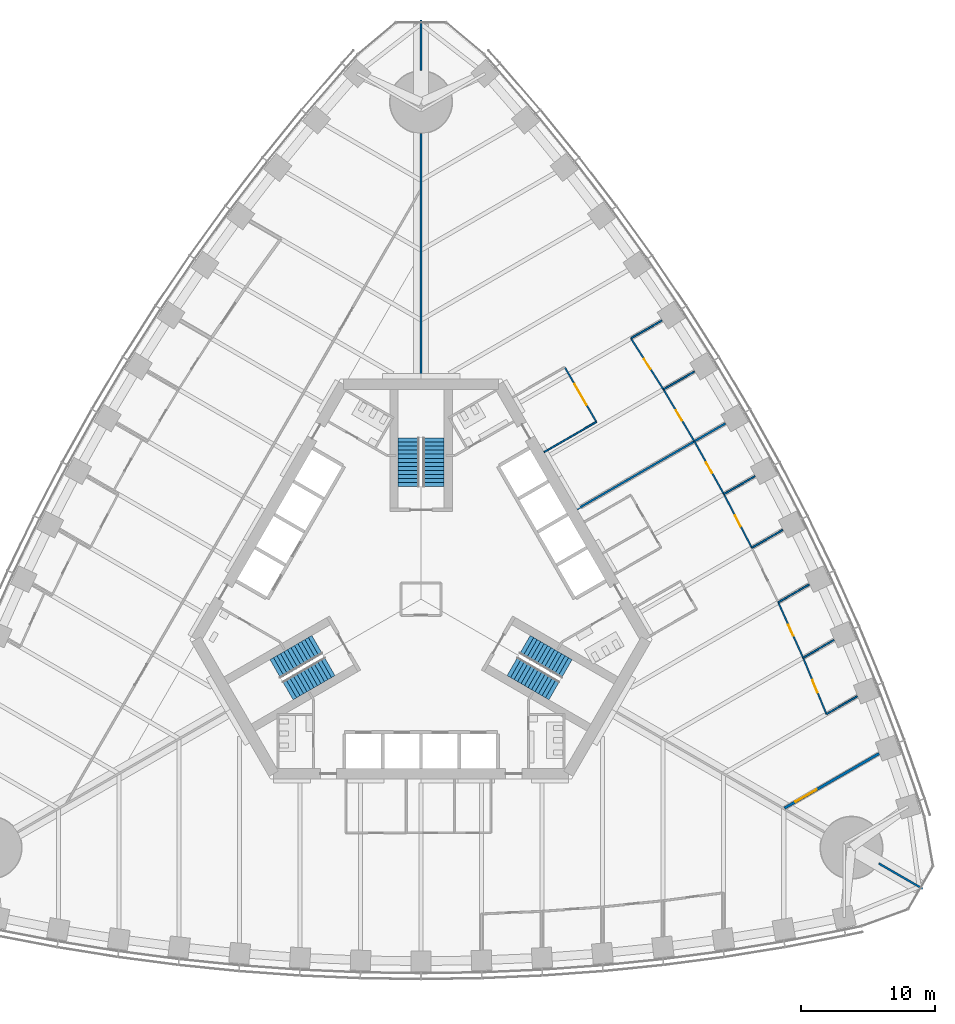
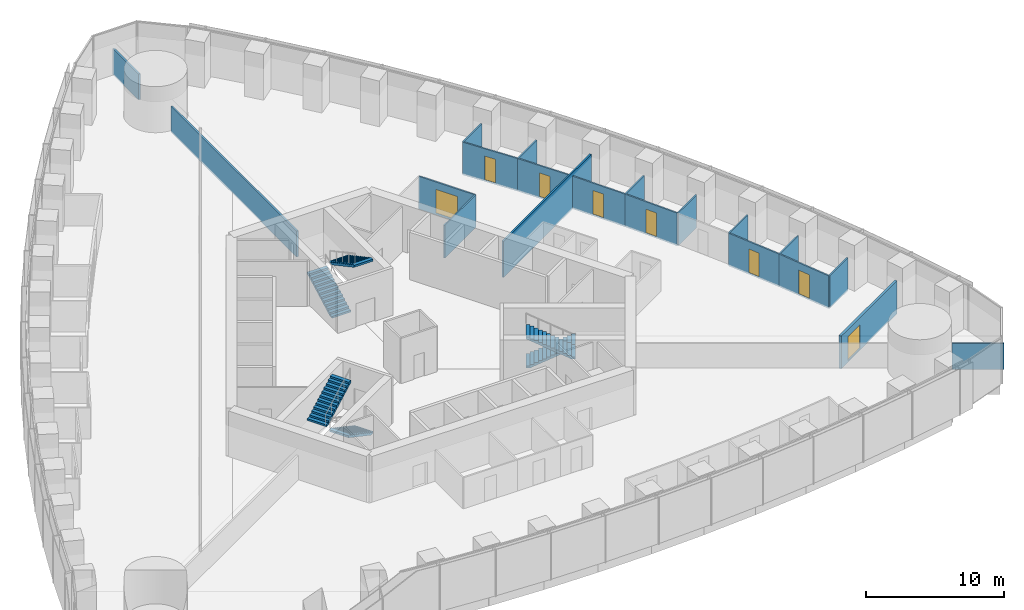
# One storey, part 13 of 18: 20 walls, 8 doors, 6 stair flights, 8 openings, 3 elements without a shape of their own.
"""IFC4 building model written with IfcOpenShell, lengths in metres."""

from ifc_helpers import new_model, si_unit, direction, frame, frame_2d, origin, place, context, subcontext, project, spatial, polyline, rectangle, outline, extrude, material, layer, layer_set, type_object, element, fill, aggregate, save


model = new_model("IFC4")

# Units and contexts
model_context = context("Model", 3, precision=1e-05, world=origin(), true_north=direction((0.0, 1.0)))
body_context = subcontext(model_context, "Body", "Model", "MODEL_VIEW")
ifc_project = project(units=[si_unit("LENGTHUNIT", "METRE"), si_unit("AREAUNIT", "SQUARE_METRE"), si_unit("VOLUMEUNIT", "CUBIC_METRE"), si_unit("PLANEANGLEUNIT", "RADIAN"), si_unit("MASSUNIT", "GRAM", prefix="KILO")], contexts=[model_context])

# Site, building, storey
site_placement = place(None, origin())
site = spatial("IfcSite", under=ifc_project, at=site_placement, CompositionType="ELEMENT")
building_placement = place(site_placement, origin())
building = spatial("IfcBuilding", under=site, at=building_placement, Name="Trefoil Bronze Tower", CompositionType="ELEMENT")
storey_placement = place(building_placement, frame((0.0, 0.0, 50.10009765625)))
storey = spatial("IfcBuildingStorey", under=building, at=storey_placement, Name="L11", CompositionType="ELEMENT", Elevation=50.10009765625)

# Wall, opening, door
ifc_material_1 = material(Name="Gypsum board on steel studs", Category="steel")
ifc_layer_1 = layer(ifc_material_1, 0.199951171875)
ifc_layer_set_1 = layer_set([ifc_layer_1], Name="Acoustic partition 200")
wall_type_1 = type_object("IfcWallType", Name="Acoustic partition 200", PredefinedType="PARTITIONING", material=ifc_layer_set_1)
wall_1_placement = place(storey_placement, frame((27.054931640625, -15.556640625, 0.0), z_axis=(0.0, 0.0, 1.0), x_axis=(0.866026445548, 0.499998195608, 0.0)))
wall_1 = element("IfcWall", 1, at=wall_1_placement, inside=storey, type_object=wall_type_1, Name="Partition F2 L11", PredefinedType="PARTITIONING", context=body_context, shape_type="SweptSolid", body=[
    extrude(rectangle(XDim=8.1240234375, YDim=0.199951171875, at=frame_2d((4.06201171875, 0.0))), origin(), (0.0, 0.0, 1.0), 2.89990234375),
])
opening_1_placement = place(wall_1_placement, frame((0.949951171875, 0.0, 0.14990234375)))
opening_1 = element("IfcOpeningElement", 2, at=opening_1_placement, cuts=wall_1, Name="Opening D10", PredefinedType="OPENING", context=body_context, shape_type="SweptSolid", body=[
    extrude(rectangle(XDim=1.800048828125, YDim=2.10009765625, at=frame_2d((0.89990234375, 1.050048828125))), frame((0.0, 0.10986328125, 0.0), z_axis=(0.0, -1.0, 0.0), x_axis=(1.0, 0.0, 0.0)), (0.0, 0.0, 1.0), 0.219970703125),
])
ifc_material_2 = material(Name="Timber door", Category="wood")
door_type_1 = type_object("IfcDoorType", Name="Double door 1800", OperationType="DOUBLE_DOOR_SINGLE_SWING", PredefinedType="DOOR", material=ifc_material_2)
door_1_placement = place(opening_1_placement, frame((1.800048828125, 0.0, 0.0), z_axis=(0.0, 0.0, 1.0), x_axis=(-1.0, 0.0, 0.0)))
door_1 = element("IfcDoor", 3, at=door_1_placement, inside=storey, type_object=door_type_1, Name="Boardroom door F2 L11", OperationType="DOUBLE_DOOR_SINGLE_SWING", OverallHeight=2.10009765625, OverallWidth=1.800048828125, PredefinedType="DOOR", context=body_context, shape_type="SweptSolid", body=[
    extrude(rectangle(XDim=1.800048828125, YDim=2.10009765625, at=frame_2d((0.89990234375, 1.050048828125))), frame((0.0, 0.02490234375, 0.0), z_axis=(0.0, -1.0, 0.0), x_axis=(1.0, 0.0, 0.0)), (0.0, 0.0, 1.0), 0.050048828125),
])
fill(opening_1, door_1)

ifc_material_3 = material(Name="Glazed partition", Category="glass")
ifc_layer_2 = layer(ifc_material_3, 0.1201171875)
ifc_layer_set_2 = layer_set([ifc_layer_2], Name="Glazed partition 120")
wall_type_2 = type_object("IfcWallType", Name="Glazed partition 120", PredefinedType="PARTITIONING", material=ifc_layer_set_2)
wall_2_placement = place(storey_placement, frame((13.0517578125, 13.193603515625, 0.0), z_axis=(0.0, 0.0, 1.0), x_axis=(-0.499977259774, 0.866038532462, 0.0)))
wall_2 = element("IfcWall", 4, at=wall_2_placement, inside=storey, type_object=wall_type_2, Name="Partition F2 L11", PredefinedType="PARTITIONING", context=body_context, shape_type="SweptSolid", body=[
    extrude(rectangle(XDim=4.699951171875, YDim=0.1201171875, at=frame_2d((2.35009765625, 0.0))), origin(), (0.0, 0.0, 1.0), 2.89990234375),
])
opening_2_placement = place(wall_2_placement, frame((1.449951171875, 0.0, 0.14990234375)))
opening_2 = element("IfcOpeningElement", 5, at=opening_2_placement, cuts=wall_2, Name="Opening D10", PredefinedType="OPENING", context=body_context, shape_type="SweptSolid", body=[
    extrude(rectangle(XDim=1.800048828125, YDim=2.10009765625, at=frame_2d((0.89990234375, 1.050048828125))), frame((0.0, 0.070068359375, 0.0), z_axis=(0.0, -1.0, 0.0), x_axis=(1.0, 0.0, 0.0)), (0.0, 0.0, 1.0), 0.14013671875),
])
door_2_placement = place(opening_2_placement, origin())
door_2 = element("IfcDoor", 6, at=door_2_placement, inside=storey, type_object=door_type_1, Name="Reception door F2 L11", OperationType="DOUBLE_DOOR_SINGLE_SWING", OverallHeight=2.10009765625, OverallWidth=1.800048828125, PredefinedType="DOOR", context=body_context, shape_type="SweptSolid", body=[
    extrude(rectangle(XDim=1.800048828125, YDim=2.10009765625, at=frame_2d((0.89990234375, 1.050048828125))), frame((0.0, 0.02490234375, 0.0), z_axis=(0.0, -1.0, 0.0), x_axis=(1.0, 0.0, 0.0)), (0.0, 0.0, 1.0), 0.050048828125),
])
fill(opening_2, door_2)

# Wall
wall_3_placement = place(storey_placement, frame((9.15478515625, 10.943603515625, 0.0), z_axis=(0.0, 0.0, 1.0), x_axis=(0.866017533419, 0.500013631625, 0.0)))
element("IfcWall", 7, at=wall_3_placement, inside=storey, type_object=wall_type_2, Name="Partition F2 L11", PredefinedType="PARTITIONING", context=body_context, shape_type="SweptSolid", body=[
    extrude(rectangle(XDim=4.499755859375, YDim=0.1201171875, at=frame_2d((2.25, 0.0))), origin(), (0.0, 0.0, 1.0), 2.89990234375),
])

# Wall, opening, door
wall_4_placement = place(storey_placement, frame((20.3505859375, 11.749267578125, 0.0), z_axis=(0.0, 0.0, 1.0), x_axis=(-0.51252396108, 0.858672923364, 0.0)))
wall_4 = element("IfcWall", 8, at=wall_4_placement, inside=storey, type_object=wall_type_2, Name="Partition F2 L11", PredefinedType="PARTITIONING", context=body_context, shape_type="SweptSolid", body=[
    extrude(rectangle(XDim=4.50048828125, YDim=0.1201171875, at=frame_2d((2.250244140625, 0.0))), origin(), (0.0, 0.0, 1.0), 2.89990234375),
])
opening_3_placement = place(wall_4_placement, frame((1.800048828125, 0.0, 0.14990234375)))
opening_3 = element("IfcOpeningElement", 9, at=opening_3_placement, cuts=wall_4, Name="Opening D8", PredefinedType="OPENING", context=body_context, shape_type="SweptSolid", body=[
    extrude(rectangle(XDim=0.89990234375, YDim=2.10009765625, at=frame_2d((0.449951171875, 1.050048828125))), frame((0.0, 0.070068359375, 0.0), z_axis=(0.0, -1.0, 0.0), x_axis=(1.0, 0.0, 0.0)), (0.0, 0.0, 1.0), 0.14013671875),
])
ifc_material_4 = material(Name="Timber door", Category="wood")
door_type_2 = type_object("IfcDoorType", Name="Office door 900", OperationType="SINGLE_SWING_LEFT", PredefinedType="DOOR", material=ifc_material_4)
door_3_placement = place(opening_3_placement, frame((0.89990234375, 0.0, 0.0), z_axis=(0.0, 0.0, 1.0), x_axis=(-1.0, 0.0, 0.0)))
door_3 = element("IfcDoor", 10, at=door_3_placement, inside=storey, type_object=door_type_2, Name="Office door F2 L11", OperationType="SINGLE_SWING_RIGHT", OverallHeight=2.10009765625, OverallWidth=0.89990234375, PredefinedType="DOOR", context=body_context, shape_type="SweptSolid", body=[
    extrude(rectangle(XDim=0.89990234375, YDim=2.10009765625, at=frame_2d((0.449951171875, 1.050048828125))), frame((0.0, 0.02490234375, 0.0), z_axis=(0.0, -1.0, 0.0), x_axis=(1.0, 0.0, 0.0)), (0.0, 0.0, 1.0), 0.050048828125),
])
fill(opening_3, door_3)

wall_5_placement = place(storey_placement, frame((18.0439453125, 15.61376953125, 0.0), z_axis=(0.0, 0.0, 1.0), x_axis=(-0.537243691336, 0.843427066272, 0.0)))
wall_5 = element("IfcWall", 11, at=wall_5_placement, inside=storey, type_object=wall_type_2, Name="Partition F2 L11", PredefinedType="PARTITIONING", context=body_context, shape_type="SweptSolid", body=[
    extrude(rectangle(XDim=4.50439453125, YDim=0.1201171875, at=frame_2d((2.252197265625, 0.0))), origin(), (0.0, 0.0, 1.0), 2.89990234375),
])
opening_4_placement = place(wall_5_placement, frame((1.800048828125, 0.0, 0.14990234375)))
opening_4 = element("IfcOpeningElement", 12, at=opening_4_placement, cuts=wall_5, Name="Opening D8", PredefinedType="OPENING", context=body_context, shape_type="SweptSolid", body=[
    extrude(rectangle(XDim=0.89990234375, YDim=2.10009765625, at=frame_2d((0.449951171875, 1.050048828125))), frame((0.0, 0.070068359375, 0.0), z_axis=(0.0, -1.0, 0.0), x_axis=(1.0, 0.0, 0.0)), (0.0, 0.0, 1.0), 0.14013671875),
])
door_4_placement = place(opening_4_placement, frame((0.89990234375, 0.0, 0.0), z_axis=(0.0, 0.0, 1.0), x_axis=(-1.0, 0.0, 0.0)))
door_4 = element("IfcDoor", 13, at=door_4_placement, inside=storey, type_object=door_type_2, Name="Office door F2 L11", OperationType="SINGLE_SWING_RIGHT", OverallHeight=2.10009765625, OverallWidth=0.89990234375, PredefinedType="DOOR", context=body_context, shape_type="SweptSolid", body=[
    extrude(rectangle(XDim=0.89990234375, YDim=2.10009765625, at=frame_2d((0.449951171875, 1.050048828125))), frame((0.0, 0.02490234375, 0.0), z_axis=(0.0, -1.0, 0.0), x_axis=(1.0, 0.0, 0.0)), (0.0, 0.0, 1.0), 0.050048828125),
])
fill(opening_4, door_4)

wall_6_placement = place(storey_placement, frame((28.44287109375, -4.363037109375, 0.0), z_axis=(0.0, 0.0, 1.0), x_axis=(-0.409495979977, 0.912311921649, 0.0)))
wall_6 = element("IfcWall", 14, at=wall_6_placement, inside=storey, type_object=wall_type_2, Name="Partition F2 L11", PredefinedType="PARTITIONING", context=body_context, shape_type="SweptSolid", body=[
    extrude(rectangle(XDim=4.5234375, YDim=0.1201171875, at=frame_2d((2.26171875, 0.0))), origin(), (0.0, 0.0, 1.0), 2.89990234375),
])
opening_5_placement = place(wall_6_placement, frame((1.800048828125, 0.0, 0.14990234375)))
opening_5 = element("IfcOpeningElement", 15, at=opening_5_placement, cuts=wall_6, Name="Opening D8", PredefinedType="OPENING", context=body_context, shape_type="SweptSolid", body=[
    extrude(rectangle(XDim=0.89990234375, YDim=2.10009765625, at=frame_2d((0.449951171875, 1.050048828125))), frame((0.0, 0.070068359375, 0.0), z_axis=(0.0, -1.0, 0.0), x_axis=(1.0, 0.0, 0.0)), (0.0, 0.0, 1.0), 0.14013671875),
])
door_5_placement = place(opening_5_placement, frame((0.89990234375, 0.0, 0.0), z_axis=(0.0, 0.0, 1.0), x_axis=(-1.0, 0.0, 0.0)))
door_5 = element("IfcDoor", 16, at=door_5_placement, inside=storey, type_object=door_type_2, Name="Office door F2 L11", OperationType="SINGLE_SWING_RIGHT", OverallHeight=2.10009765625, OverallWidth=0.89990234375, PredefinedType="DOOR", context=body_context, shape_type="SweptSolid", body=[
    extrude(rectangle(XDim=0.89990234375, YDim=2.10009765625, at=frame_2d((0.449951171875, 1.050048828125))), frame((0.0, 0.02490234375, 0.0), z_axis=(0.0, -1.0, 0.0), x_axis=(1.0, 0.0, 0.0)), (0.0, 0.0, 1.0), 0.050048828125),
])
fill(opening_5, door_5)

wall_7_placement = place(storey_placement, frame((30.179443359375, -8.556640625, 0.0), z_axis=(0.0, 0.0, 1.0), x_axis=(-0.382594071331, 0.923916542001, 0.0)))
wall_7 = element("IfcWall", 17, at=wall_7_placement, inside=storey, type_object=wall_type_2, Name="Partition F2 L11", PredefinedType="PARTITIONING", context=body_context, shape_type="SweptSolid", body=[
    extrude(rectangle(XDim=4.5390625, YDim=0.1201171875, at=frame_2d((2.26953125, 0.0))), origin(), (0.0, 0.0, 1.0), 2.89990234375),
])
opening_6_placement = place(wall_7_placement, frame((1.75, 0.0, 0.14990234375)))
opening_6 = element("IfcOpeningElement", 18, at=opening_6_placement, cuts=wall_7, Name="Opening D9", PredefinedType="OPENING", context=body_context, shape_type="SweptSolid", body=[
    extrude(rectangle(XDim=1.0, YDim=2.10009765625, at=frame_2d((0.5, 1.050048828125))), frame((0.0, 0.070068359375, 0.0), z_axis=(0.0, -1.0, 0.0), x_axis=(1.0, 0.0, 0.0)), (0.0, 0.0, 1.0), 0.14013671875),
])
ifc_material_5 = material(Name="Glazed timber door", Category="wood")
door_type_3 = type_object("IfcDoorType", Name="Meeting room door 1000", OperationType="SINGLE_SWING_LEFT", PredefinedType="DOOR", material=ifc_material_5)
door_6_placement = place(opening_6_placement, frame((1.0, 0.0, 0.0), z_axis=(0.0, 0.0, 1.0), x_axis=(-1.0, 0.0, 0.0)))
door_6 = element("IfcDoor", 19, at=door_6_placement, inside=storey, type_object=door_type_3, Name="Meeting room door F2 L11", OperationType="SINGLE_SWING_RIGHT", OverallHeight=2.10009765625, OverallWidth=1.0, PredefinedType="DOOR", context=body_context, shape_type="SweptSolid", body=[
    extrude(rectangle(XDim=1.0, YDim=2.10009765625, at=frame_2d((0.5, 1.050048828125))), frame((0.0, 0.02490234375, 0.0), z_axis=(0.0, -1.0, 0.0), x_axis=(1.0, 0.0, 0.0)), (0.0, 0.0, 1.0), 0.050048828125),
])
fill(opening_6, door_6)

wall_8_placement = place(storey_placement, frame((22.5439453125, 7.819580078125, 0.0), z_axis=(0.0, 0.0, 1.0), x_axis=(-0.487373854787, 0.873193406795, 0.0)))
wall_8 = element("IfcWall", 20, at=wall_8_placement, inside=storey, type_object=wall_type_2, Name="Partition F2 L11", PredefinedType="PARTITIONING", context=body_context, shape_type="SweptSolid", body=[
    extrude(rectangle(XDim=4.500244140625, YDim=0.1201171875, at=frame_2d((2.25, 0.0))), origin(), (0.0, 0.0, 1.0), 2.89990234375),
])
opening_7_placement = place(wall_8_placement, frame((1.800048828125, 0.0, 0.14990234375)))
opening_7 = element("IfcOpeningElement", 21, at=opening_7_placement, cuts=wall_8, Name="Opening D8", PredefinedType="OPENING", context=body_context, shape_type="SweptSolid", body=[
    extrude(rectangle(XDim=0.89990234375, YDim=2.10009765625, at=frame_2d((0.449951171875, 1.050048828125))), frame((0.0, 0.070068359375, 0.0), z_axis=(0.0, -1.0, 0.0), x_axis=(1.0, 0.0, 0.0)), (0.0, 0.0, 1.0), 0.14013671875),
])
door_7_placement = place(opening_7_placement, frame((0.89990234375, 0.0, 0.0), z_axis=(0.0, 0.0, 1.0), x_axis=(-1.0, 0.0, 0.0)))
door_7 = element("IfcDoor", 22, at=door_7_placement, inside=storey, type_object=door_type_2, Name="Office door F2 L11", OperationType="SINGLE_SWING_RIGHT", OverallHeight=2.10009765625, OverallWidth=0.89990234375, PredefinedType="DOOR", context=body_context, shape_type="SweptSolid", body=[
    extrude(rectangle(XDim=0.89990234375, YDim=2.10009765625, at=frame_2d((0.449951171875, 1.050048828125))), frame((0.0, 0.02490234375, 0.0), z_axis=(0.0, -1.0, 0.0), x_axis=(1.0, 0.0, 0.0)), (0.0, 0.0, 1.0), 0.050048828125),
])
fill(opening_7, door_7)

wall_9_placement = place(storey_placement, frame((24.6240234375, 3.824462890625, 0.0), z_axis=(0.0, 0.0, 1.0), x_axis=(-0.461810056307, 0.886978845235, 0.0)))
wall_9 = element("IfcWall", 23, at=wall_9_placement, inside=storey, type_object=wall_type_2, Name="Partition F2 L11", PredefinedType="PARTITIONING", context=body_context, shape_type="SweptSolid", body=[
    extrude(rectangle(XDim=4.504150390625, YDim=0.1201171875, at=frame_2d((2.251953125, 0.0))), origin(), (0.0, 0.0, 1.0), 2.89990234375),
])
opening_8_placement = place(wall_9_placement, frame((1.800048828125, 0.0, 0.14990234375)))
opening_8 = element("IfcOpeningElement", 24, at=opening_8_placement, cuts=wall_9, Name="Opening D8", PredefinedType="OPENING", context=body_context, shape_type="SweptSolid", body=[
    extrude(rectangle(XDim=0.89990234375, YDim=2.10009765625, at=frame_2d((0.449951171875, 1.050048828125))), frame((0.0, 0.070068359375, 0.0), z_axis=(0.0, -1.0, 0.0), x_axis=(1.0, 0.0, 0.0)), (0.0, 0.0, 1.0), 0.14013671875),
])
door_8_placement = place(opening_8_placement, frame((0.89990234375, 0.0, 0.0), z_axis=(0.0, 0.0, 1.0), x_axis=(-1.0, 0.0, 0.0)))
door_8 = element("IfcDoor", 25, at=door_8_placement, inside=storey, type_object=door_type_2, Name="Office door F2 L11", OperationType="SINGLE_SWING_RIGHT", OverallHeight=2.10009765625, OverallWidth=0.89990234375, PredefinedType="DOOR", context=body_context, shape_type="SweptSolid", body=[
    extrude(rectangle(XDim=0.89990234375, YDim=2.10009765625, at=frame_2d((0.449951171875, 1.050048828125))), frame((0.0, 0.02490234375, 0.0), z_axis=(0.0, -1.0, 0.0), x_axis=(1.0, 0.0, 0.0)), (0.0, 0.0, 1.0), 0.050048828125),
])
fill(opening_8, door_8)

# Walls
wall_10_placement = place(storey_placement, frame((18.0439453125, 15.61376953125, 0.0), z_axis=(0.0, 0.0, 1.0), x_axis=(0.866022619654, 0.500004822225, 0.0)))
element("IfcWall", 26, at=wall_10_placement, inside=storey, type_object=wall_type_2, Name="Partition F2 L11", PredefinedType="PARTITIONING", context=body_context, shape_type="SweptSolid", body=[
    extrude(rectangle(XDim=2.66943359375, YDim=0.1201171875, at=frame_2d((1.334716796875, 0.0))), origin(), (0.0, 0.0, 1.0), 2.89990234375),
])
wall_11_placement = place(storey_placement, frame((15.6240234375, 19.412841796875, 0.0), z_axis=(0.0, 0.0, 1.0), x_axis=(0.866020974757, 0.500007671222, 0.0)))
element("IfcWall", 27, at=wall_11_placement, inside=storey, type_object=wall_type_2, Name="Partition F2 L11", PredefinedType="PARTITIONING", context=body_context, shape_type="SweptSolid", body=[
    extrude(rectangle(XDim=2.66748046875, YDim=0.1201171875, at=frame_2d((1.333740234375, 0.0))), origin(), (0.0, 0.0, 1.0), 2.89990234375),
])
wall_12_placement = place(storey_placement, frame((26.590576171875, -0.236328125, 0.0), z_axis=(0.0, 0.0, 1.0), x_axis=(0.866023818221, 0.500002746266, 0.0)))
element("IfcWall", 28, at=wall_12_placement, inside=storey, type_object=wall_type_2, Name="Partition F2 L11", PredefinedType="PARTITIONING", context=body_context, shape_type="SweptSolid", body=[
    extrude(rectangle(XDim=2.6640625, YDim=0.1201171875, at=frame_2d((1.33203125, 0.0))), origin(), (0.0, 0.0, 1.0), 2.89990234375),
])
wall_13_placement = place(storey_placement, frame((28.44287109375, -4.363037109375, 0.0), z_axis=(0.0, 0.0, 1.0), x_axis=(0.866031171652, 0.499990009627, 0.0)))
element("IfcWall", 29, at=wall_13_placement, inside=storey, type_object=wall_type_2, Name="Partition F2 L11", PredefinedType="PARTITIONING", context=body_context, shape_type="SweptSolid", body=[
    extrude(rectangle(XDim=2.6591796875, YDim=0.1201171875, at=frame_2d((1.32958984375, 0.0))), origin(), (0.0, 0.0, 1.0), 2.89990234375),
])
wall_14_placement = place(storey_placement, frame((30.179443359375, -8.556640625, 0.0), z_axis=(0.0, 0.0, 1.0), x_axis=(0.866026229868, 0.499998569178, 0.0)))
element("IfcWall", 30, at=wall_14_placement, inside=storey, type_object=wall_type_2, Name="Partition F2 L11", PredefinedType="PARTITIONING", context=body_context, shape_type="SweptSolid", body=[
    extrude(rectangle(XDim=2.6533203125, YDim=0.1201171875, at=frame_2d((1.32666015625, 0.0))), origin(), (0.0, 0.0, 1.0), 2.89990234375),
])
wall_15_placement = place(storey_placement, frame((22.5439453125, 7.819580078125, 0.0), z_axis=(0.0, 0.0, 1.0), x_axis=(0.866022619654, 0.500004822225, 0.0)))
element("IfcWall", 31, at=wall_15_placement, inside=storey, type_object=wall_type_2, Name="Partition F2 L11", PredefinedType="PARTITIONING", context=body_context, shape_type="SweptSolid", body=[
    extrude(rectangle(XDim=2.66943359375, YDim=0.1201171875, at=frame_2d((1.334716796875, 0.0))), origin(), (0.0, 0.0, 1.0), 2.89990234375),
])
wall_16_placement = place(storey_placement, frame((24.6240234375, 3.824462890625, 0.0), z_axis=(0.0, 0.0, 1.0), x_axis=(0.866020974757, 0.500007671222, 0.0)))
element("IfcWall", 32, at=wall_16_placement, inside=storey, type_object=wall_type_2, Name="Partition F2 L11", PredefinedType="PARTITIONING", context=body_context, shape_type="SweptSolid", body=[
    extrude(rectangle(XDim=2.66748046875, YDim=0.1201171875, at=frame_2d((1.333740234375, 0.0))), origin(), (0.0, 0.0, 1.0), 2.89990234375),
])
ifc_material_6 = material(Name="Gypsum board on steel studs", Category="steel")
ifc_layer_3 = layer(ifc_material_6, 0.14990234375)
ifc_layer_set_3 = layer_set([ifc_layer_3], Name="Party wall 150")
wall_type_3 = type_object("IfcWallType", Name="Party wall 150", PredefinedType="PARTITIONING", material=ifc_layer_set_3)
wall_17_placement = place(storey_placement, frame((34.078125, -19.675048828125, 0.0), z_axis=(0.0, 0.0, 1.0), x_axis=(0.866019247219, -0.500010663332, 0.0)))
element("IfcWall", 33, at=wall_17_placement, inside=storey, type_object=wall_type_3, Name="Party wall K1 L11", PredefinedType="PARTITIONING", context=body_context, shape_type="SweptSolid", body=[
    extrude(rectangle(XDim=3.76416015625, YDim=0.14990234375, at=frame_2d((1.882080078125, 0.0))), origin(), (0.0, 0.0, 1.0), 2.2998046875),
])
wall_18_placement = place(storey_placement, frame((0.0, 16.39990234375, 0.0), z_axis=(0.0, 0.0, 1.0), x_axis=(0.0, 1.0, 0.0)))
element("IfcWall", 34, at=wall_18_placement, inside=storey, type_object=wall_type_3, Name="Party wall K2 L11", PredefinedType="PARTITIONING", context=body_context, shape_type="SweptSolid", body=[
    extrude(rectangle(XDim=18.25, YDim=0.14990234375, at=frame_2d((9.125, 0.0))), origin(), (0.0, 0.0, 1.0), 2.2998046875),
])
wall_19_placement = place(storey_placement, frame((0.0, 39.35009765625, 0.0), z_axis=(0.0, 0.0, 1.0), x_axis=(0.0, 1.0, 0.0)))
element("IfcWall", 35, at=wall_19_placement, inside=storey, type_object=wall_type_3, Name="Party wall K2 L11", PredefinedType="PARTITIONING", context=body_context, shape_type="SweptSolid", body=[
    extrude(rectangle(XDim=3.763916015625, YDim=0.14990234375, at=frame_2d((1.8818359375, 0.0))), origin(), (0.0, 0.0, 1.0), 2.2998046875),
])
wall_20_placement = place(storey_placement, frame((11.61328125, 6.705078125, 0.0), z_axis=(0.0, 0.0, 1.0), x_axis=(0.86602785495, 0.499995754432, 0.0)))
element("IfcWall", 36, at=wall_20_placement, inside=storey, type_object=wall_type_3, Name="Demising wall F2 L11", PredefinedType="PARTITIONING", context=body_context, shape_type="SweptSolid", body=[
    extrude(rectangle(XDim=12.7587890625, YDim=0.14990234375, at=frame_2d((6.37939453125, 0.0))), origin(), (0.0, 0.0, 1.0), 3.199951171875),
])

# Stair, stair flights
ifc_material_7 = material(Name="Precast concrete B80", Category="concrete")
stair_type = type_object("IfcStairType", Name="Exit stair 26 risers", PredefinedType="HALF_TURN_STAIR", material=ifc_material_7)
stair_1_placement = place(storey_placement, origin())
stair_1 = element("IfcStair", 37, at=stair_1_placement, inside=storey, type_object=stair_type, Name="Stair ST1 L11", PredefinedType="HALF_TURN_STAIR")
ifc_material_8 = material(Name="Precast concrete B80", Category="concrete")
stair_flight_type = type_object("IfcStairFlightType", Name="Stair flight 1600", PredefinedType="STRAIGHT", material=ifc_material_8)
stair_flight_1_placement = place(storey_placement, frame((7.728515625, -3.39404296875, 0.0), z_axis=(0.0, 0.0, 1.0), x_axis=(0.866025403784, -0.5, 0.0)))
stair_flight_1 = element("IfcStairFlight", 38, at=stair_flight_1_placement, type_object=stair_flight_type, Name="ST1 flight 1", NumberOfRisers=13, NumberOfTreads=12, PredefinedType="STRAIGHT", RiserHeight=0.161538462, TreadLength=0.3, context=body_context, shape_type="SweptSolid", body=[
    extrude(outline(polyline([(0.0, 0.0), (0.0, 0.16162109375), (0.300048828125, 0.16162109375), (0.300048828125, 0.322998046875), (0.60009765625, 0.322998046875), (0.60009765625, 0.484619140625), (0.89990234375, 0.484619140625), (0.89990234375, 0.646240234375), (1.199951171875, 0.646240234375), (1.199951171875, 0.8076171875), (1.5, 0.8076171875), (1.5, 0.96923828125), (1.800048828125, 0.96923828125), (1.800048828125, 1.130859375), (2.10009765625, 1.130859375), (2.10009765625, 1.292236328125), (2.39990234375, 1.292236328125), (2.39990234375, 1.453857421875), (2.699951171875, 1.453857421875), (2.699951171875, 1.615478515625), (3.0, 1.615478515625), (3.0, 1.77685546875), (3.300048828125, 1.77685546875), (3.300048828125, 1.9384765625), (3.60009765625, 1.9384765625), (3.60009765625, 2.10009765625), (3.60009765625, 1.768310546875), (0.316162109375, 0.0), (0.0, 0.0)])), frame((0.0, 0.800048828125, 0.0), z_axis=(0.0, -1.0, 0.0), x_axis=(1.0, 0.0, 0.0)), (0.0, 0.0, 1.0), 1.60009765625),
])
stair_flight_2_placement = place(storey_placement, frame((9.921142578125, -6.796142578125, 2.099853515625), z_axis=(0.0, 0.0, 1.0), x_axis=(-0.866025403784, 0.5, 0.0)))
stair_flight_2 = element("IfcStairFlight", 39, at=stair_flight_2_placement, type_object=stair_flight_type, Name="ST1 flight 2", NumberOfRisers=13, NumberOfTreads=12, PredefinedType="STRAIGHT", RiserHeight=0.161538462, TreadLength=0.3, context=body_context, shape_type="SweptSolid", body=[
    extrude(outline(polyline([(0.0, 0.0), (0.0, 0.16162109375), (0.300048828125, 0.16162109375), (0.300048828125, 0.322998046875), (0.60009765625, 0.322998046875), (0.60009765625, 0.484619140625), (0.89990234375, 0.484619140625), (0.89990234375, 0.646240234375), (1.199951171875, 0.646240234375), (1.199951171875, 0.8076171875), (1.5, 0.8076171875), (1.5, 0.96923828125), (1.800048828125, 0.96923828125), (1.800048828125, 1.130859375), (2.10009765625, 1.130859375), (2.10009765625, 1.292236328125), (2.39990234375, 1.292236328125), (2.39990234375, 1.453857421875), (2.699951171875, 1.453857421875), (2.699951171875, 1.615478515625), (3.0, 1.615478515625), (3.0, 1.77685546875), (3.300048828125, 1.77685546875), (3.300048828125, 1.9384765625), (3.60009765625, 1.9384765625), (3.60009765625, 2.10009765625), (3.60009765625, 1.768310546875), (0.316162109375, 0.0), (0.0, 0.0)])), frame((0.0, 0.800048828125, 0.0), z_axis=(0.0, -1.0, 0.0), x_axis=(1.0, 0.0, 0.0)), (0.0, 0.0, 1.0), 1.60009765625),
])
aggregate(stair_1, [stair_flight_1, stair_flight_2])

stair_2_placement = place(storey_placement, origin())
stair_2 = element("IfcStair", 40, at=stair_2_placement, inside=storey, type_object=stair_type, Name="Stair ST2 L11", PredefinedType="HALF_TURN_STAIR")
stair_flight_3_placement = place(storey_placement, frame((-0.925048828125, 8.389892578125, 0.0), z_axis=(0.0, 0.0, 1.0), x_axis=(0.0, 1.0, 0.0)))
stair_flight_3 = element("IfcStairFlight", 41, at=stair_flight_3_placement, type_object=stair_flight_type, Name="ST2 flight 1", NumberOfRisers=13, NumberOfTreads=12, PredefinedType="STRAIGHT", RiserHeight=0.161538462, TreadLength=0.3, context=body_context, shape_type="SweptSolid", body=[
    extrude(outline(polyline([(0.0, 0.0), (0.0, 0.16162109375), (0.300048828125, 0.16162109375), (0.300048828125, 0.322998046875), (0.60009765625, 0.322998046875), (0.60009765625, 0.484619140625), (0.89990234375, 0.484619140625), (0.89990234375, 0.646240234375), (1.199951171875, 0.646240234375), (1.199951171875, 0.8076171875), (1.5, 0.8076171875), (1.5, 0.96923828125), (1.800048828125, 0.96923828125), (1.800048828125, 1.130859375), (2.10009765625, 1.130859375), (2.10009765625, 1.292236328125), (2.39990234375, 1.292236328125), (2.39990234375, 1.453857421875), (2.699951171875, 1.453857421875), (2.699951171875, 1.615478515625), (3.0, 1.615478515625), (3.0, 1.77685546875), (3.300048828125, 1.77685546875), (3.300048828125, 1.9384765625), (3.60009765625, 1.9384765625), (3.60009765625, 2.10009765625), (3.60009765625, 1.768310546875), (0.316162109375, 0.0), (0.0, 0.0)])), frame((0.0, 0.800048828125, 0.0), z_axis=(0.0, -1.0, 0.0), x_axis=(1.0, 0.0, 0.0)), (0.0, 0.0, 1.0), 1.60009765625),
])
stair_flight_4_placement = place(storey_placement, frame((0.925048828125, 11.989990234375, 2.099853515625), z_axis=(0.0, 0.0, 1.0), x_axis=(0.0, -1.0, 0.0)))
stair_flight_4 = element("IfcStairFlight", 42, at=stair_flight_4_placement, type_object=stair_flight_type, Name="ST2 flight 2", NumberOfRisers=13, NumberOfTreads=12, PredefinedType="STRAIGHT", RiserHeight=0.161538462, TreadLength=0.3, context=body_context, shape_type="SweptSolid", body=[
    extrude(outline(polyline([(0.0, 0.0), (0.0, 0.16162109375), (0.300048828125, 0.16162109375), (0.300048828125, 0.322998046875), (0.60009765625, 0.322998046875), (0.60009765625, 0.484619140625), (0.89990234375, 0.484619140625), (0.89990234375, 0.646240234375), (1.199951171875, 0.646240234375), (1.199951171875, 0.8076171875), (1.5, 0.8076171875), (1.5, 0.96923828125), (1.800048828125, 0.96923828125), (1.800048828125, 1.130859375), (2.10009765625, 1.130859375), (2.10009765625, 1.292236328125), (2.39990234375, 1.292236328125), (2.39990234375, 1.453857421875), (2.699951171875, 1.453857421875), (2.699951171875, 1.615478515625), (3.0, 1.615478515625), (3.0, 1.77685546875), (3.300048828125, 1.77685546875), (3.300048828125, 1.9384765625), (3.60009765625, 1.9384765625), (3.60009765625, 2.10009765625), (3.60009765625, 1.768310546875), (0.316162109375, 0.0), (0.0, 0.0)])), frame((0.0, 0.800048828125, 0.0), z_axis=(0.0, -1.0, 0.0), x_axis=(1.0, 0.0, 0.0)), (0.0, 0.0, 1.0), 1.60009765625),
])
aggregate(stair_2, [stair_flight_3, stair_flight_4])

stair_3_placement = place(storey_placement, origin())
stair_3 = element("IfcStair", 43, at=stair_3_placement, inside=storey, type_object=stair_type, Name="Stair ST3 L11", PredefinedType="HALF_TURN_STAIR")
stair_flight_5_placement = place(storey_placement, frame((-6.803466796875, -4.99609375, 0.0), z_axis=(0.0, 0.0, 1.0), x_axis=(-0.866025403784, -0.5, 0.0)))
stair_flight_5 = element("IfcStairFlight", 44, at=stair_flight_5_placement, type_object=stair_flight_type, Name="ST3 flight 1", NumberOfRisers=13, NumberOfTreads=12, PredefinedType="STRAIGHT", RiserHeight=0.161538462, TreadLength=0.3, context=body_context, shape_type="SweptSolid", body=[
    extrude(outline(polyline([(0.0, 0.0), (0.0, 0.16162109375), (0.300048828125, 0.16162109375), (0.300048828125, 0.322998046875), (0.60009765625, 0.322998046875), (0.60009765625, 0.484619140625), (0.89990234375, 0.484619140625), (0.89990234375, 0.646240234375), (1.199951171875, 0.646240234375), (1.199951171875, 0.8076171875), (1.5, 0.8076171875), (1.5, 0.96923828125), (1.800048828125, 0.96923828125), (1.800048828125, 1.130859375), (2.10009765625, 1.130859375), (2.10009765625, 1.292236328125), (2.39990234375, 1.292236328125), (2.39990234375, 1.453857421875), (2.699951171875, 1.453857421875), (2.699951171875, 1.615478515625), (3.0, 1.615478515625), (3.0, 1.77685546875), (3.300048828125, 1.77685546875), (3.300048828125, 1.9384765625), (3.60009765625, 1.9384765625), (3.60009765625, 2.10009765625), (3.60009765625, 1.768310546875), (0.316162109375, 0.0), (0.0, 0.0)])), frame((0.0, 0.800048828125, 0.0), z_axis=(0.0, -1.0, 0.0), x_axis=(1.0, 0.0, 0.0)), (0.0, 0.0, 1.0), 1.60009765625),
])
stair_flight_6_placement = place(storey_placement, frame((-10.84619140625, -5.19384765625, 2.099853515625), z_axis=(0.0, 0.0, 1.0), x_axis=(0.866025403784, 0.5, 0.0)))
stair_flight_6 = element("IfcStairFlight", 45, at=stair_flight_6_placement, type_object=stair_flight_type, Name="ST3 flight 2", NumberOfRisers=13, NumberOfTreads=12, PredefinedType="STRAIGHT", RiserHeight=0.161538462, TreadLength=0.3, context=body_context, shape_type="SweptSolid", body=[
    extrude(outline(polyline([(0.0, 0.0), (0.0, 0.16162109375), (0.300048828125, 0.16162109375), (0.300048828125, 0.322998046875), (0.60009765625, 0.322998046875), (0.60009765625, 0.484619140625), (0.89990234375, 0.484619140625), (0.89990234375, 0.646240234375), (1.199951171875, 0.646240234375), (1.199951171875, 0.8076171875), (1.5, 0.8076171875), (1.5, 0.96923828125), (1.800048828125, 0.96923828125), (1.800048828125, 1.130859375), (2.10009765625, 1.130859375), (2.10009765625, 1.292236328125), (2.39990234375, 1.292236328125), (2.39990234375, 1.453857421875), (2.699951171875, 1.453857421875), (2.699951171875, 1.615478515625), (3.0, 1.615478515625), (3.0, 1.77685546875), (3.300048828125, 1.77685546875), (3.300048828125, 1.9384765625), (3.60009765625, 1.9384765625), (3.60009765625, 2.10009765625), (3.60009765625, 1.768310546875), (0.316162109375, 0.0), (0.0, 0.0)])), frame((0.0, 0.800048828125, 0.0), z_axis=(0.0, -1.0, 0.0), x_axis=(1.0, 0.0, 0.0)), (0.0, 0.0, 1.0), 1.60009765625),
])
aggregate(stair_3, [stair_flight_5, stair_flight_6])

save(model, "model.ifc")
